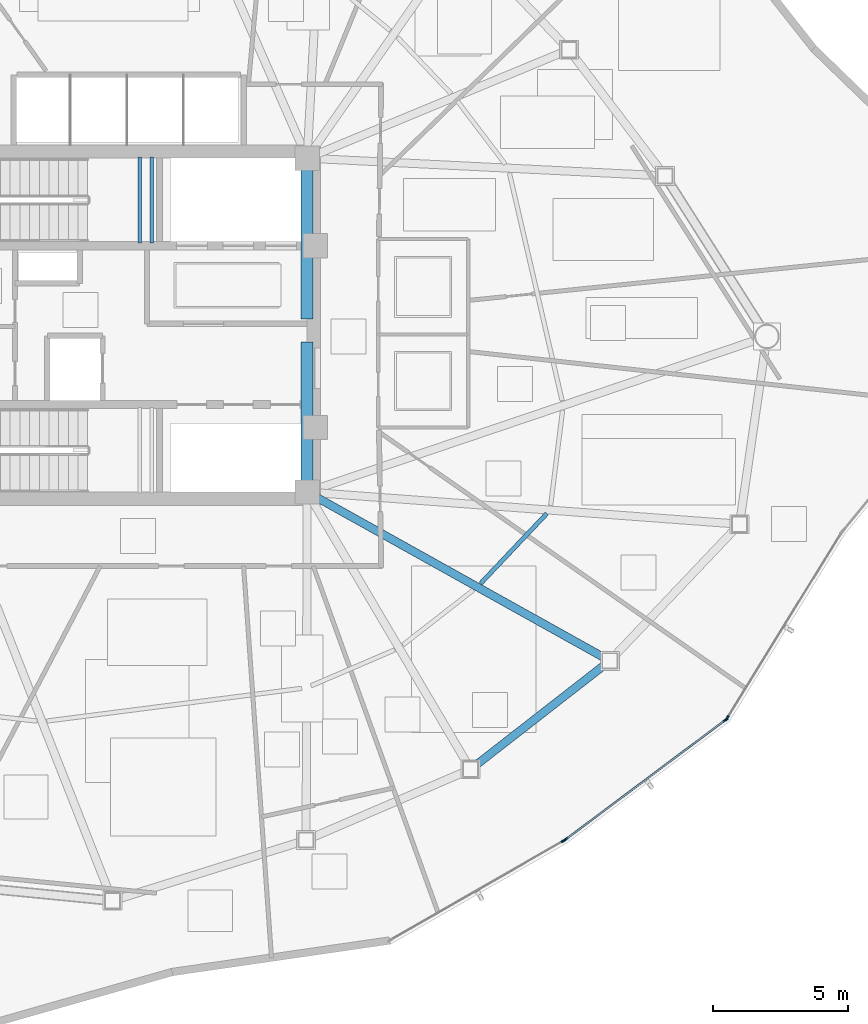
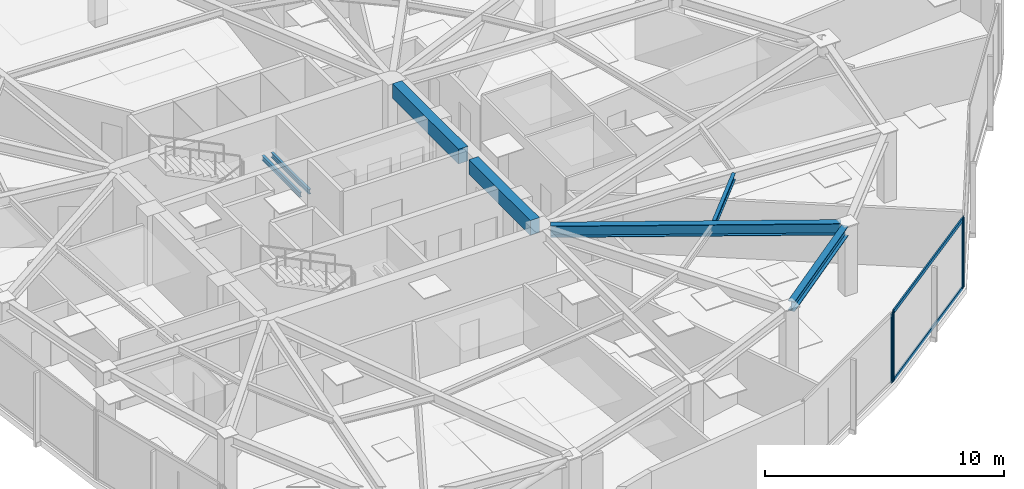
# One storey, part 5 of 18: 7 beams, 6 members, 3 elements without a shape of their own.
"""IFC4 building model written with IfcOpenShell, lengths in metres."""

from ifc_helpers import new_model, si_unit, direction, frame, origin, origin_2d, place, context, subcontext, project, spatial, rectangle, hollow_rectangle, i_section, extrude, source, transform, mapped, material, layer, layer_set, material_profile, profile_set, type_object, type_shapes, element, aggregate, save


model = new_model("IFC4")

# Units and contexts
model_context = context("Model", 3, precision=1e-05, world=origin(), true_north=direction((0.0, 1.0)))
body_context = subcontext(model_context, "Body", "Model", "MODEL_VIEW")
ifc_project = project(units=[si_unit("LENGTHUNIT", "METRE"), si_unit("AREAUNIT", "SQUARE_METRE"), si_unit("VOLUMEUNIT", "CUBIC_METRE"), si_unit("PLANEANGLEUNIT", "RADIAN"), si_unit("MASSUNIT", "GRAM", prefix="KILO")], contexts=[model_context])

# Site, building, storey
site_placement = place(None, origin())
site = spatial("IfcSite", under=ifc_project, at=site_placement, CompositionType="ELEMENT")
building_placement = place(site_placement, origin())
building = spatial("IfcBuilding", under=site, at=building_placement, Name="Tavelor Broadcast Tower", CompositionType="ELEMENT")
storey_placement = place(building_placement, frame((0.0, 0.0, 173.35009765625)))
storey = spatial("IfcBuildingStorey", under=building, at=storey_placement, Name="L41", CompositionType="ELEMENT", Elevation=173.35009765625)

# Beams
ifc_material_1 = material(Name="Concrete C40/50", Category="concrete")
ifc_material_profile_1 = material_profile(ifc_material_1, rectangle(XDim=0.449951171875, YDim=0.75, at=origin_2d()), Name="RC 450x750")
ifc_profile_set_1 = profile_set([ifc_material_profile_1], Name="Concrete C40/50")
beam_type_1 = type_object("IfcBeamType", Name="Basement Core Trim Beam 450x750", PredefinedType="BEAM", material=ifc_profile_set_1)
beam_1_placement = place(storey_placement, frame((56.60009765625, 45.23193359375, 3.1748046875), z_axis=(0.0, 1.0, 0.0), x_axis=(-1.0, 0.0, 0.0)))
element("IfcBeam", 1, at=beam_1_placement, inside=storey, type_object=beam_type_1, Name="L41 Core East-N Tie Girder", PredefinedType="BEAM", context=body_context, shape_type="SweptSolid", body=[
    extrude(rectangle(XDim=0.449951171875, YDim=0.75, at=origin_2d()), origin(), (0.0, 0.0, 1.0), 5.5361328125),
])
beam_2_placement = place(storey_placement, frame((56.60009765625, 39.23193359375, 3.1748046875), z_axis=(0.0, 1.0, 0.0), x_axis=(-1.0, 0.0, 0.0)))
element("IfcBeam", 2, at=beam_2_placement, inside=storey, type_object=beam_type_1, Name="L41 Core East-S Tie Girder", PredefinedType="BEAM", context=body_context, shape_type="SweptSolid", body=[
    extrude(rectangle(XDim=0.449951171875, YDim=0.75, at=origin_2d()), origin(), (0.0, 0.0, 1.0), 5.135986328125),
])
ifc_material_2 = material(Name="Steel S355", Category="steel")
ifc_material_profile_2 = material_profile(ifc_material_2, i_section(OverallWidth=0.159912109375, OverallDepth=0.330078125, WebThickness=0.007568359375, FlangeThickness=0.011474609375, at=origin_2d()), Name="IPE 330")
ifc_profile_set_2 = profile_set([ifc_material_profile_2], Name="Steel S355")
beam_type_2 = type_object("IfcBeamType", Name="Composite Floor Joist T4 IPE 330", PredefinedType="JOIST", material=ifc_profile_set_2)
beam_3_placement = place(storey_placement, frame((63.04541015625, 35.4072265625, 3.385009765625), z_axis=(0.687334543524, 0.726340984166, 0.0), x_axis=(-0.726340984166, 0.687334543524, 0.0)))
element("IfcBeam", 3, at=beam_3_placement, inside=storey, type_object=beam_type_2, Name="L41 Secondary Composite Floor Joist 11", PredefinedType="JOIST", context=body_context, shape_type="SweptSolid", body=[
    extrude(i_section(OverallWidth=0.159912109375, OverallDepth=0.330078125, WebThickness=0.007568359375, FlangeThickness=0.011474609375, at=origin_2d()), origin(), (0.0, 0.0, 1.0), 3.567626953125),
])
ifc_material_profile_3 = material_profile(ifc_material_2, i_section(OverallWidth=0.300048828125, OverallDepth=0.5, WebThickness=0.014404296875, FlangeThickness=0.028076171875, at=origin_2d()), Name="HEB 500")
ifc_profile_set_3 = profile_set([ifc_material_profile_3], Name="Steel S355")
beam_type_3 = type_object("IfcBeamType", Name="Perimeter Spandrel Beam T4 HEB 500", PredefinedType="SPANDREL", material=ifc_profile_set_3)
beam_4_placement = place(storey_placement, frame((62.896484375, 28.68017578125, 3.2998046875), z_axis=(0.788978387361, 0.614420950389, 0.0), x_axis=(-0.614420950389, 0.788978387361, 0.0)))
element("IfcBeam", 4, at=beam_4_placement, inside=storey, type_object=beam_type_3, Name="L41 Framed-Tube Ring Spandrel 10", PredefinedType="SPANDREL", context=body_context, shape_type="SweptSolid", body=[
    extrude(i_section(OverallWidth=0.300048828125, OverallDepth=0.5, WebThickness=0.014404296875, FlangeThickness=0.028076171875, at=origin_2d()), origin(), (0.0, 0.0, 1.0), 5.98046875),
])
ifc_material_profile_4 = material_profile(ifc_material_2, i_section(OverallWidth=0.300048828125, OverallDepth=0.590087890625, WebThickness=0.012939453125, FlangeThickness=0.02490234375, at=origin_2d()), Name="HEA 600")
ifc_profile_set_4 = profile_set([ifc_material_profile_4], Name="Steel S355")
beam_type_4 = type_object("IfcBeamType", Name="Radial Floor Girder T4 HEA 600", PredefinedType="BEAM", material=ifc_profile_set_4)
beam_5_placement = place(storey_placement, frame((56.977294921875, 38.589599609375, 3.2548828125), z_axis=(0.8734199139, -0.486967816187, 0.0), x_axis=(0.486967816187, 0.8734199139, 0.0)))
element("IfcBeam", 5, at=beam_5_placement, inside=storey, type_object=beam_type_4, Name="L41 Radial Primary Floor Girder 11", PredefinedType="BEAM", context=body_context, shape_type="SweptSolid", body=[
    extrude(i_section(OverallWidth=0.300048828125, OverallDepth=0.590087890625, WebThickness=0.012939453125, FlangeThickness=0.02490234375, at=origin_2d()), origin(), (0.0, 0.0, 1.0), 12.151611328125),
])
ifc_material_profile_5 = material_profile(ifc_material_2, i_section(OverallWidth=0.1201171875, OverallDepth=0.239990234375, WebThickness=0.006103515625, FlangeThickness=0.009765625, at=origin_2d()), Name="IPE 240")
ifc_profile_set_5 = profile_set([ifc_material_profile_5], Name="Steel S355")
beam_type_5 = type_object("IfcBeamType", Name="Stairwell Landing Support Trimmer Beam IPE240", PredefinedType="BEAM", material=ifc_profile_set_5)
for number, where, z_axis, x_axis, name in (
    (6, (50.385009765625, 48.06005859375, 1.60986328125), (0.0, 1.0, 0.0), (-1.0, 0.0, 0.0), "L41 Stair Landing Support Beam 115"),
    (7, (50.824951171875, 48.06005859375, 1.60986328125), (0.0, 1.0, 0.0), (-1.0, 0.0, 0.0), "L41 Stair Landing Support Beam 116"),
):
    element("IfcBeam", number, at=place(storey_placement, frame(where, z_axis=z_axis, x_axis=x_axis)), inside=storey, type_object=beam_type_5, Name=name, PredefinedType="BEAM", context=body_context, shape_type="SweptSolid", body=[
        extrude(i_section(OverallWidth=0.1201171875, OverallDepth=0.239990234375, WebThickness=0.006103515625, FlangeThickness=0.009765625, at=origin_2d()), origin(), (0.0, 0.0, 1.0), 3.179931640625),
    ])

# Curtain wall, member
ifc_material_3 = material(Name="Architectural Anodized Aluminium", Category="aluminium")
ifc_layer = layer(ifc_material_3, 0.18994140625)
ifc_layer_set = layer_set([ifc_layer], Name="Architectural Anodized Aluminium")
curtain_wall_type = type_object("IfcCurtainWallType", Name="Tower Mid-Zone Acoustic Curtain Wall CW03", PredefinedType="NOTDEFINED", material=ifc_layer_set)
curtain_wall_1_placement = place(storey_placement, origin())
curtain_wall_1 = element("IfcCurtainWall", 8, at=curtain_wall_1_placement, inside=storey, type_object=curtain_wall_type, Name="L41 Curtain Wall CW03 Run 437", PredefinedType="NOTDEFINED")
ifc_material_profile_6 = material_profile(ifc_material_3, hollow_rectangle(XDim=0.068115234375, YDim=0.18994140625, WallThickness=0.02197265625, at=origin_2d()), Name="RHS 68x190x22")
ifc_profile_set_6 = profile_set([ifc_material_profile_6], Name="Architectural Anodized Aluminium")
member_type_1 = type_object("IfcMemberType", Name="CW03 Extruded Aluminium Mullion 68x190", PredefinedType="MULLION", material=ifc_profile_set_6)
shared_shape_1 = source(origin(), body_context, "Body", "SweptSolid", [
    extrude(hollow_rectangle(XDim=0.068115234375, YDim=0.18994140625, WallThickness=0.02197265625, at=origin_2d()), origin(), (0.0, 0.0, 1.0), 3.5498046875),
])
type_shapes(member_type_1, [shared_shape_1])
member_1_placement = place(storey_placement, frame((66.122314453125, 25.84765625, 0.0), z_axis=(0.0, 0.0, 1.0), x_axis=(-0.497353692457, 0.867547868765, 0.0)))
member_1 = element("IfcMember", 9, at=member_1_placement, type_object=member_type_1, Name="CW03 mullion 2", PredefinedType="MULLION", context=body_context, shape_type="MappedRepresentation", body=[
    mapped(shared_shape_1, transform((0.0, 0.0, 0.0), scale=1.0)),
])
aggregate(curtain_wall_1, [member_1])

# Curtain wall, members
curtain_wall_2_placement = place(storey_placement, origin())
curtain_wall_2 = element("IfcCurtainWall", 10, at=curtain_wall_2_placement, inside=storey, type_object=curtain_wall_type, Name="L41 Curtain Wall CW03 Run 438", PredefinedType="NOTDEFINED")
member_2_placement = place(storey_placement, frame((66.2041015625, 25.9013671875, 0.0), z_axis=(0.0, 0.0, 1.0), x_axis=(-0.598686767794, 0.800983242065, 0.0)))
member_2 = element("IfcMember", 11, at=member_2_placement, type_object=member_type_1, Name="CW03 mullion 1", PredefinedType="MULLION", context=body_context, shape_type="MappedRepresentation", body=[
    mapped(shared_shape_1, transform((0.0, 0.0, 0.0), scale=1.0)),
])
member_3_placement = place(storey_placement, frame((72.135498046875, 30.334716796875, 0.0), z_axis=(0.0, 0.0, 1.0), x_axis=(-0.598686767794, 0.800983242065, 0.0)))
member_3 = element("IfcMember", 12, at=member_3_placement, type_object=member_type_1, Name="CW03 mullion 2", PredefinedType="MULLION", context=body_context, shape_type="MappedRepresentation", body=[
    mapped(shared_shape_1, transform((0.0, 0.0, 0.0), scale=1.0)),
])

# Curtain wall, member
curtain_wall_3_placement = place(storey_placement, origin())
curtain_wall_3 = element("IfcCurtainWall", 13, at=curtain_wall_3_placement, inside=storey, type_object=curtain_wall_type, Name="L41 Curtain Wall CW03 Run 439", PredefinedType="NOTDEFINED")
member_4_placement = place(storey_placement, frame((72.200439453125, 30.40576171875, 0.0), z_axis=(0.0, 0.0, 1.0), x_axis=(-0.851219554803, 0.524809746023, 0.0)))
member_4 = element("IfcMember", 14, at=member_4_placement, type_object=member_type_1, Name="CW03 mullion 1", PredefinedType="MULLION", context=body_context, shape_type="MappedRepresentation", body=[
    mapped(shared_shape_1, transform((0.0, 0.0, 0.0), scale=1.0)),
])
aggregate(curtain_wall_3, [member_4])

# Member
ifc_material_profile_7 = material_profile(ifc_material_3, hollow_rectangle(XDim=0.068115234375, YDim=0.18994140625, WallThickness=0.02197265625, at=origin_2d()), Name="RHS 68x190x22")
ifc_profile_set_7 = profile_set([ifc_material_profile_7], Name="Architectural Anodized Aluminium")
member_type_2 = type_object("IfcMemberType", Name="CW03 Extruded Aluminium Transom 68x190", PredefinedType="USERDEFINED", material=ifc_profile_set_7)
shared_shape_2 = source(origin(), body_context, "Body", "SweptSolid", [
    extrude(hollow_rectangle(XDim=0.068115234375, YDim=0.18994140625, WallThickness=0.02197265625, at=origin_2d()), origin(), (0.0, 0.0, 1.0), 7.337158203125),
])
type_shapes(member_type_2, [shared_shape_2])
member_5_placement = place(storey_placement, frame((66.231201171875, 25.921630859375, 0.033935546875), z_axis=(0.800989166235, 0.598678841762, 0.0), x_axis=(-0.598678841762, 0.800989166235, 0.0)))
member_5 = element("IfcMember", 15, at=member_5_placement, type_object=member_type_2, Name="CW03 transom 1.1", ObjectType="TRANSOM", PredefinedType="USERDEFINED", context=body_context, shape_type="MappedRepresentation", body=[
    mapped(shared_shape_2, transform((0.0, 0.0, 0.0), scale=1.0)),
])

member_6_placement = place(storey_placement, frame((66.231201171875, 25.921630859375, 3.515869140625), z_axis=(0.800989166235, 0.598678841762, 0.0), x_axis=(-0.598678841762, 0.800989166235, 0.0)))
member_6 = element("IfcMember", 16, at=member_6_placement, type_object=member_type_2, Name="CW03 transom 1.2", ObjectType="TRANSOM", PredefinedType="USERDEFINED", context=body_context, shape_type="MappedRepresentation", body=[
    mapped(shared_shape_2, transform((0.0, 0.0, 0.0), scale=1.0)),
])

aggregate(curtain_wall_2, [member_2, member_3, member_5, member_6])

save(model, "model.ifc")
